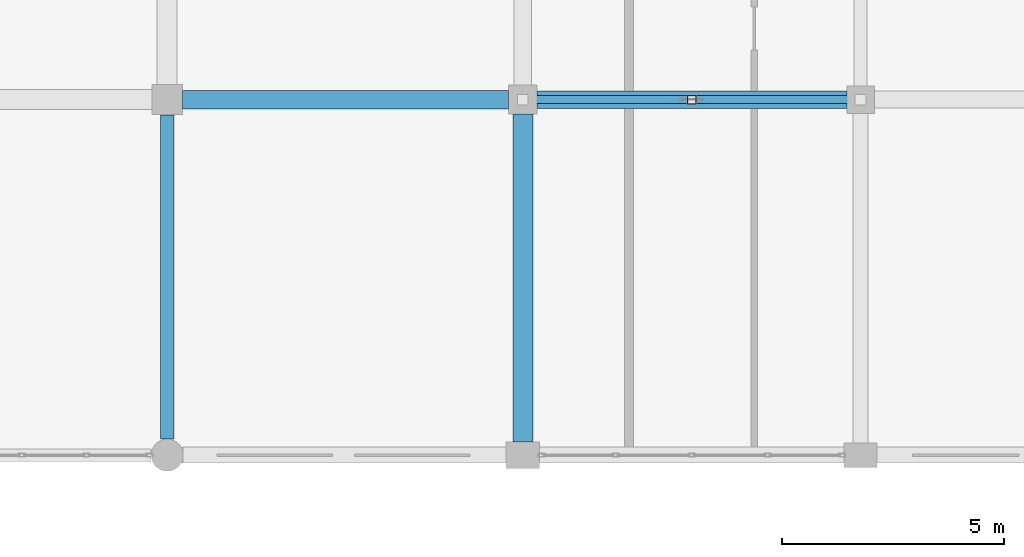
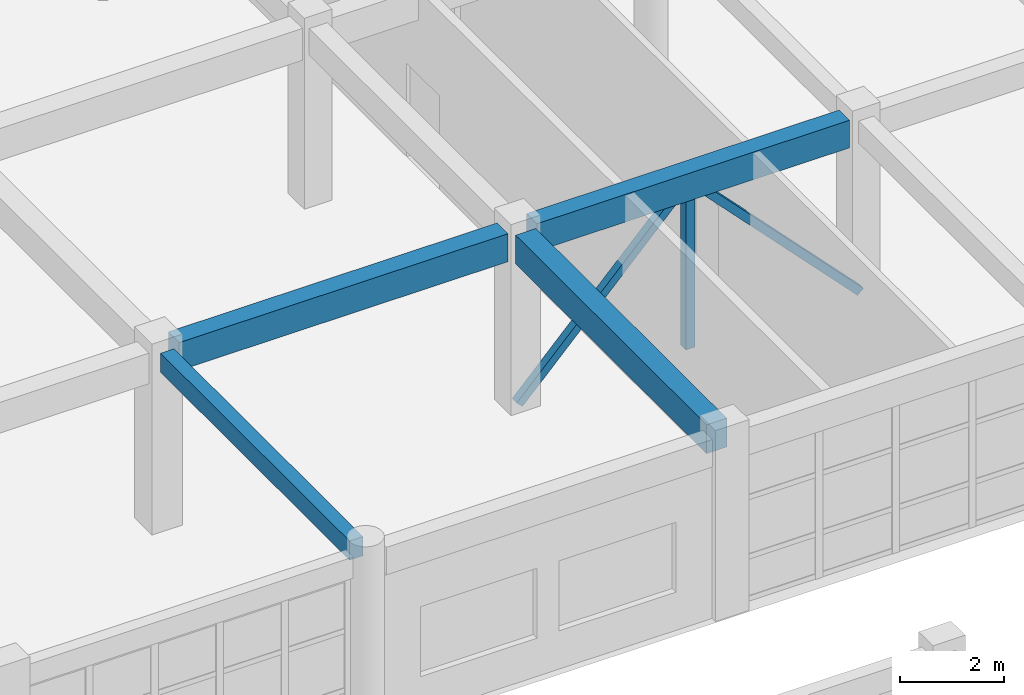
# One storey, part 93 of 160: 4 beams, 3 members.
"""IFC4 building model written with IfcOpenShell, lengths in metres."""

from ifc_helpers import new_model, si_unit, direction, frame, origin, origin_2d, place, context, subcontext, project, spatial, rectangle, hollow_rectangle, extrude, material, material_profile, profile_set, type_object, element, save


model = new_model("IFC4")

# Units and contexts
model_context = context("Model", 3, precision=1e-05, world=origin(), true_north=direction((0.0, 1.0)))
body_context = subcontext(model_context, "Body", "Model", "MODEL_VIEW")
ifc_project = project(units=[si_unit("LENGTHUNIT", "METRE"), si_unit("AREAUNIT", "SQUARE_METRE"), si_unit("VOLUMEUNIT", "CUBIC_METRE"), si_unit("PLANEANGLEUNIT", "RADIAN"), si_unit("MASSUNIT", "GRAM", prefix="KILO")], contexts=[model_context])

# Site, building, storey
site_placement = place(None, origin())
site = spatial("IfcSite", under=ifc_project, at=site_placement, CompositionType="ELEMENT")
building_placement = place(site_placement, origin())
building = spatial("IfcBuilding", under=site, at=building_placement, Name="Kharva Crest Polytechnic", CompositionType="ELEMENT")
storey_placement = place(building_placement, frame((0.0, 0.0, 4.5)))
storey = spatial("IfcBuildingStorey", under=building, at=storey_placement, Name="L01", CompositionType="ELEMENT", Elevation=4.5)

# Beams
ifc_material_1 = material(Name="Concrete C35/45", Category="concrete")
ifc_material_profile_1 = material_profile(ifc_material_1, rectangle(XDim=0.300048828125, YDim=0.449951171875, at=origin_2d()), Name="RECT 300 X 450")
ifc_profile_set_1 = profile_set([ifc_material_profile_1], Name="Concrete C35/45")
beam_type_1 = type_object("IfcBeamType", Name="BM-RC-300X450", PredefinedType="BEAM", material=ifc_profile_set_1)
beam_1_placement = place(storey_placement, frame((160.800048828125, 39.159912109375, 3.9951171875), z_axis=(0.0, 1.0, 0.0), x_axis=(-1.0, 0.0, 0.0)))
element("IfcBeam", 1, at=beam_1_placement, inside=storey, type_object=beam_type_1, Name="L01 Girder 21/FJ-G", PredefinedType="BEAM", context=body_context, shape_type="SweptSolid", body=[
    extrude(rectangle(XDim=0.300048828125, YDim=0.449951171875, at=origin_2d()), origin(), (0.0, 0.0, 1.0), 7.300048828125),
])
ifc_material_profile_2 = material_profile(ifc_material_1, rectangle(XDim=0.39990234375, YDim=0.64990234375, at=origin_2d()), Name="RECT 400 X 650")
ifc_profile_set_2 = profile_set([ifc_material_profile_2], Name="Concrete C35/45")
beam_type_2 = type_object("IfcBeamType", Name="BM-RC-400X650", PredefinedType="BEAM", material=ifc_profile_set_2)
beam_2_placement = place(storey_placement, frame((169.125, 46.800048828125, 3.89501953125), z_axis=(1.0, 0.0, 0.0), x_axis=(0.0, 1.0, 0.0)))
element("IfcBeam", 2, at=beam_2_placement, inside=storey, type_object=beam_type_2, Name="L01 Beam G/22-23", PredefinedType="BEAM", context=body_context, shape_type="SweptSolid", body=[
    extrude(rectangle(XDim=0.39990234375, YDim=0.64990234375, at=origin_2d()), origin(), (0.0, 0.0, 1.0), 6.965087890625),
])
ifc_material_profile_3 = material_profile(ifc_material_1, rectangle(XDim=0.419921875, YDim=0.659912109375, at=origin_2d()), Name="RECT 420 X 660")
ifc_profile_set_3 = profile_set([ifc_material_profile_3], Name="Concrete C35/45")
beam_type_3 = type_object("IfcBeamType", Name="BM-RC-420X660", PredefinedType="BEAM", material=ifc_profile_set_3)
beam_3_placement = place(storey_placement, frame((161.139892578125, 46.800048828125, 3.889892578125), z_axis=(1.0, 0.0, 0.0), x_axis=(0.0, 1.0, 0.0)))
element("IfcBeam", 3, at=beam_3_placement, inside=storey, type_object=beam_type_3, Name="L01 Beam G/21-22", PredefinedType="BEAM", context=body_context, shape_type="SweptSolid", body=[
    extrude(rectangle(XDim=0.419921875, YDim=0.659912109375, at=origin_2d()), origin(), (0.0, 0.0, 1.0), 7.335205078125),
])
ifc_material_profile_4 = material_profile(ifc_material_1, rectangle(XDim=0.449951171875, YDim=0.679931640625, at=origin_2d()), Name="RECT 450 X 680")
ifc_profile_set_4 = profile_set([ifc_material_profile_4], Name="Concrete C35/45")
beam_type_4 = type_object("IfcBeamType", Name="BM-RC-450X680", PredefinedType="BEAM", material=ifc_profile_set_4)
beam_4_placement = place(storey_placement, frame((168.800048828125, 39.10009765625, 3.8798828125), z_axis=(0.0, 1.0, 0.0), x_axis=(-1.0, 0.0, 0.0)))
element("IfcBeam", 4, at=beam_4_placement, inside=storey, type_object=beam_type_4, Name="L01 Girder 22/FJ-G", PredefinedType="BEAM", context=body_context, shape_type="SweptSolid", body=[
    extrude(rectangle(XDim=0.449951171875, YDim=0.679931640625, at=origin_2d()), origin(), (0.0, 0.0, 1.0), 7.375),
])

# Members
ifc_material_2 = material(Name="Steel S355", Category="steel")
ifc_material_profile_5 = material_profile(ifc_material_2, hollow_rectangle(XDim=0.179931640625, YDim=0.179931640625, WallThickness=0.008056640625, at=origin_2d()), Name="RHS 180X180X8.0")
ifc_profile_set_5 = profile_set([ifc_material_profile_5], Name="Steel S355")
member_type_1 = type_object("IfcMemberType", Name="MEM-RHS180-BR", PredefinedType="BRACE", material=ifc_profile_set_5)
member_1_placement = place(storey_placement, frame((168.800048828125, 46.800048828125, 0.0), z_axis=(0.693300076266, 0.0, 0.720649015992), x_axis=(0.0, 1.0, 0.0)))
element("IfcMember", 5, at=member_1_placement, inside=storey, type_object=member_type_1, Name="L01 Braced Frame 8 Diagonal A", PredefinedType="BRACE", context=body_context, shape_type="SweptSolid", body=[
    extrude(hollow_rectangle(XDim=0.179931640625, YDim=0.179931640625, WallThickness=0.008056640625, at=origin_2d()), origin(), (0.0, 0.0, 1.0), 5.481201171875),
])
member_2_placement = place(storey_placement, frame((176.39990234375, 46.800048828125, 0.0), z_axis=(-0.693276942846, 0.0, 0.720671270773), x_axis=(0.0, -1.0, 0.0)))
element("IfcMember", 6, at=member_2_placement, inside=storey, type_object=member_type_1, Name="L01 Braced Frame 8 Diagonal B", PredefinedType="BRACE", context=body_context, shape_type="SweptSolid", body=[
    extrude(hollow_rectangle(XDim=0.179931640625, YDim=0.179931640625, WallThickness=0.008056640625, at=origin_2d()), origin(), (0.0, 0.0, 1.0), 5.48095703125),
])
ifc_material_profile_6 = material_profile(ifc_material_2, hollow_rectangle(XDim=0.199951171875, YDim=0.199951171875, WallThickness=0.008056640625, at=origin_2d()), Name="RHS 200X200X8.0")
ifc_profile_set_6 = profile_set([ifc_material_profile_6], Name="Steel S355")
member_type_2 = type_object("IfcMemberType", Name="MEM-RHS200-ST", PredefinedType="STRUT", material=ifc_profile_set_6)
member_3_placement = place(storey_placement, frame((172.60009765625, 46.800048828125, 0.0), z_axis=(0.0, 0.0, 1.0), x_axis=(1.0, 0.0, 0.0)))
element("IfcMember", 7, at=member_3_placement, inside=storey, type_object=member_type_2, Name="L01 Braced Frame 8 King Strut", PredefinedType="STRUT", context=body_context, shape_type="SweptSolid", body=[
    extrude(hollow_rectangle(XDim=0.199951171875, YDim=0.199951171875, WallThickness=0.008056640625, at=origin_2d()), origin(), (0.0, 0.0, 1.0), 3.949951171875),
])

save(model, "model.ifc")
